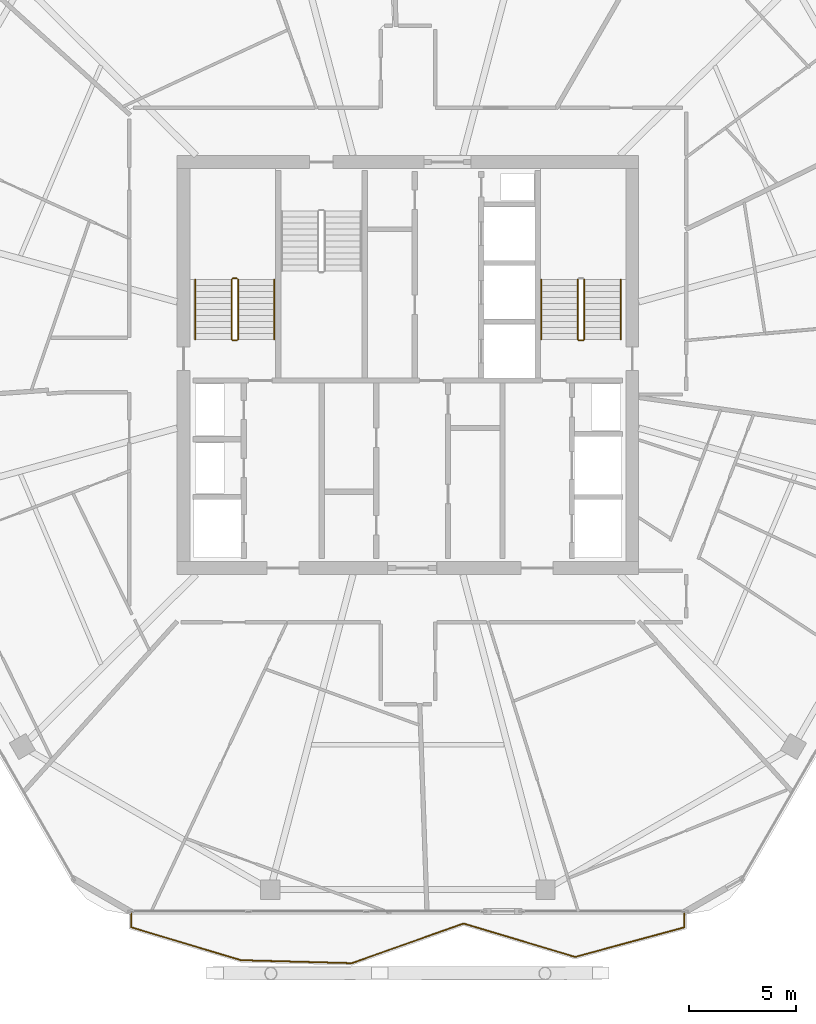
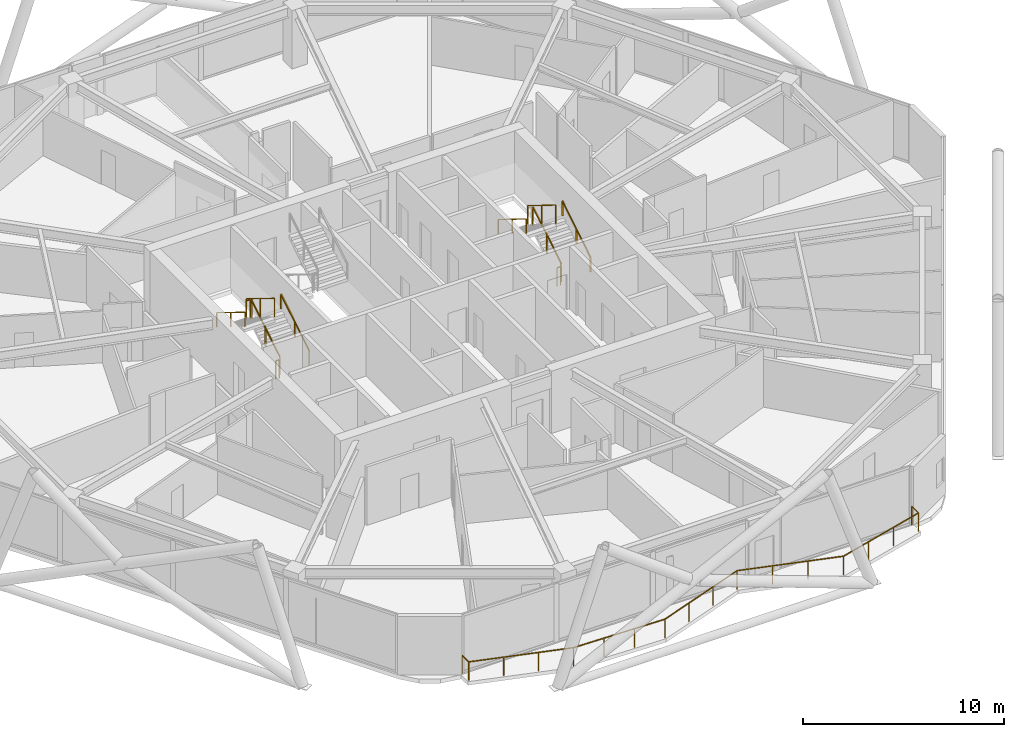
# One storey, part 25 of 26: 12 railings.
"""IFC4 building model written with IfcOpenShell, lengths in metres."""

from ifc_helpers import new_model, si_unit, direction, frame, origin, origin_2d, place, context, subcontext, project, spatial, rectangle, extrude, material, type_object, element, save


model = new_model("IFC4")

# Units and contexts
model_context = context("Model", 3, precision=1e-05, world=origin(), true_north=direction((0.0, 1.0)))
body_context = subcontext(model_context, "Body", "Model", "MODEL_VIEW")
ifc_project = project(units=[si_unit("LENGTHUNIT", "METRE"), si_unit("AREAUNIT", "SQUARE_METRE"), si_unit("VOLUMEUNIT", "CUBIC_METRE"), si_unit("PLANEANGLEUNIT", "RADIAN"), si_unit("MASSUNIT", "GRAM", prefix="KILO")], contexts=[model_context])

# Site, building, storey
site_placement = place(None, origin())
site = spatial("IfcSite", under=ifc_project, at=site_placement, CompositionType="ELEMENT")
building_placement = place(site_placement, origin())
building = spatial("IfcBuilding", under=site, at=building_placement, Name="Zuhravey Tower", CompositionType="ELEMENT")
storey_placement = place(building_placement, frame((0.0, 0.0, 231.199951171875)))
storey = spatial("IfcBuildingStorey", under=building, at=storey_placement, Name="L58", CompositionType="ELEMENT", Elevation=231.199951171875)

# Railings
ifc_material_1 = material(Name="Stainless steel 316 and laminated glass", Category="steel")
railing_type_1 = type_object("IfcRailingType", Name="Balcony & Terrace Guardrail 1150", PredefinedType="BALUSTRADE", material=ifc_material_1)
railing_1_placement = place(storey_placement, frame((48.941650390625, 6.351318359375, 0.0)))
element("IfcRailing", 1, at=railing_1_placement, inside=storey, type_object=railing_type_1, Name="L58 Face 5 Wave Balcony Guardrail GR1", PredefinedType="BALUSTRADE", context=body_context, shape_type="SweptSolid", body=[
    extrude(rectangle(XDim=0.048095703125, YDim=0.048095703125, at=origin_2d()), frame((0.0, -0.001953125, 1.1259765625), z_axis=(0.0, -1.0, 0.0), x_axis=(1.0, 0.0, 0.0)), (0.0, 0.0, 1.0), 0.659423828125),
    extrude(rectangle(XDim=0.048095703125, YDim=0.048095703125, at=origin_2d()), frame((-0.001953125, -0.663818359375, 1.1259765625), z_axis=(-0.965174046402, -0.261608601065, 0.0), x_axis=(0.261608601065, -0.965174046402, 0.0)), (0.0, 0.0, 1.0), 5.2958984375),
    extrude(rectangle(XDim=0.048095703125, YDim=0.048095703125, at=origin_2d()), frame((-5.1171875, -2.04931640625, 1.1259765625), z_axis=(-0.957939641599, 0.286969759824, 0.0), x_axis=(-0.286969759824, -0.957939641599, 0.0)), (0.0, 0.0, 1.0), 5.446044921875),
    extrude(rectangle(XDim=0.048095703125, YDim=0.048095703125, at=origin_2d()), frame((-10.337890625, -0.486572265625, 1.1259765625), z_axis=(-0.94248811317, -0.3342396693, 0.0), x_axis=(0.3342396693, -0.94248811317, 0.0)), (0.0, 0.0, 1.0), 5.545166015625),
    extrude(rectangle(XDim=0.048095703125, YDim=0.048095703125, at=origin_2d()), frame((-15.56787109375, -2.340576171875, 1.1259765625), z_axis=(-0.999647538064, 0.026548062884, 0.0), x_axis=(-0.026548062884, -0.999647538064, 0.0)), (0.0, 0.0, 1.0), 5.1826171875),
    extrude(rectangle(XDim=0.048095703125, YDim=0.048095703125, at=origin_2d()), frame((-20.752685546875, -2.202392578125, 1.1259765625), z_axis=(-0.957950354825, 0.286933995354, 0.0), x_axis=(-0.286933995354, -0.957950354825, 0.0)), (0.0, 0.0, 1.0), 5.353759765625),
    extrude(rectangle(XDim=0.048095703125, YDim=0.048095703125, at=origin_2d()), frame((-25.88330078125, -0.66357421875, 1.1259765625), z_axis=(0.0, 1.0, 0.0), x_axis=(-1.0, 0.0, 0.0)), (0.0, 0.0, 1.0), 0.66162109375),
    extrude(rectangle(XDim=0.0419921875, YDim=0.0419921875, at=origin_2d()), origin(), (0.0, 0.0, 1.0), 1.099853515625),
    extrude(rectangle(XDim=0.0419921875, YDim=0.0419921875, at=origin_2d()), frame((0.0, -0.663330078125, 0.0)), (0.0, 0.0, 1.0), 1.099853515625),
    extrude(rectangle(XDim=0.0419921875, YDim=0.0419921875, at=origin_2d()), frame((-1.705078125, -1.12548828125, 0.0)), (0.0, 0.0, 1.0), 1.099853515625),
    extrude(rectangle(XDim=0.0419921875, YDim=0.0419921875, at=origin_2d()), frame((-3.41015625, -1.587646484375, 0.0)), (0.0, 0.0, 1.0), 1.099853515625),
    extrude(rectangle(XDim=0.0419921875, YDim=0.0419921875, at=origin_2d()), frame((-5.115234375, -2.0498046875, 0.0)), (0.0, 0.0, 1.0), 1.099853515625),
    extrude(rectangle(XDim=0.0419921875, YDim=0.0419921875, at=origin_2d()), frame((-6.85546875, -1.528564453125, 0.0)), (0.0, 0.0, 1.0), 1.099853515625),
    extrude(rectangle(XDim=0.0419921875, YDim=0.0419921875, at=origin_2d()), frame((-8.595703125, -1.007080078125, 0.0)), (0.0, 0.0, 1.0), 1.099853515625),
    extrude(rectangle(XDim=0.0419921875, YDim=0.0419921875, at=origin_2d()), frame((-10.3359375, -0.48583984375, 0.0)), (0.0, 0.0, 1.0), 1.099853515625),
    extrude(rectangle(XDim=0.0419921875, YDim=0.0419921875, at=origin_2d()), frame((-12.079345703125, -1.10400390625, 0.0)), (0.0, 0.0, 1.0), 1.099853515625),
    extrude(rectangle(XDim=0.0419921875, YDim=0.0419921875, at=origin_2d()), frame((-13.822509765625, -1.722412109375, 0.0)), (0.0, 0.0, 1.0), 1.099853515625),
    extrude(rectangle(XDim=0.0419921875, YDim=0.0419921875, at=origin_2d()), frame((-15.56591796875, -2.340576171875, 0.0)), (0.0, 0.0, 1.0), 1.099853515625),
    extrude(rectangle(XDim=0.0419921875, YDim=0.0419921875, at=origin_2d()), frame((-17.294189453125, -2.294677734375, 0.0)), (0.0, 0.0, 1.0), 1.099853515625),
    extrude(rectangle(XDim=0.0419921875, YDim=0.0419921875, at=origin_2d()), frame((-19.0224609375, -2.248779296875, 0.0)), (0.0, 0.0, 1.0), 1.099853515625),
    extrude(rectangle(XDim=0.0419921875, YDim=0.0419921875, at=origin_2d()), frame((-20.750732421875, -2.202880859375, 0.0)), (0.0, 0.0, 1.0), 1.099853515625),
    extrude(rectangle(XDim=0.0419921875, YDim=0.0419921875, at=origin_2d()), frame((-22.461669921875, -1.6904296875, 0.0)), (0.0, 0.0, 1.0), 1.099853515625),
    extrude(rectangle(XDim=0.0419921875, YDim=0.0419921875, at=origin_2d()), frame((-24.17236328125, -1.177978515625, 0.0)), (0.0, 0.0, 1.0), 1.099853515625),
    extrude(rectangle(XDim=0.0419921875, YDim=0.0419921875, at=origin_2d()), frame((-25.88330078125, -0.66552734375, 0.0)), (0.0, 0.0, 1.0), 1.099853515625),
    extrude(rectangle(XDim=0.0419921875, YDim=0.0419921875, at=origin_2d()), frame((-25.88330078125, 0.0, 0.0)), (0.0, 0.0, 1.0), 1.099853515625),
])
ifc_material_2 = material(Name="Brushed stainless steel", Category="steel")
railing_type_2 = type_object("IfcRailingType", Name="Stair Wall Handrail 900", PredefinedType="HANDRAIL", material=ifc_material_2)
railing_2_placement = place(storey_placement, frame((29.75, 33.199951171875, 0.1728515625)))
element("IfcRailing", 2, at=railing_2_placement, inside=storey, type_object=railing_type_2, Name="L58 ST1 stair handrail 1", PredefinedType="HANDRAIL", context=body_context, shape_type="SweptSolid", body=[
    extrude(rectangle(XDim=0.048095703125, YDim=0.048095703125, at=origin_2d()), frame((0.0, 0.001708984375, 0.876953125), z_axis=(0.0, 0.851089632645, 0.525020415988), x_axis=(-1.0, 0.0, 0.0)), (0.0, 0.0, 1.0), 3.285888671875),
    extrude(rectangle(XDim=0.0419921875, YDim=0.0419921875, at=origin_2d()), origin(), (0.0, 0.0, 1.0), 0.849853515625),
    extrude(rectangle(XDim=0.0419921875, YDim=0.0419921875, at=origin_2d()), frame((0.0, 1.39990234375, 0.86376953125)), (0.0, 0.0, 1.0), 0.849853515625),
    extrude(rectangle(XDim=0.0419921875, YDim=0.0419921875, at=origin_2d()), frame((0.0, 2.800048828125, 1.727294921875)), (0.0, 0.0, 1.0), 0.849853515625),
])
railing_3_placement = place(storey_placement, frame((26.050048828125, 36.0, 2.07275390625)))
element("IfcRailing", 3, at=railing_3_placement, inside=storey, type_object=railing_type_2, Name="L58 ST1 stair handrail 2", PredefinedType="HANDRAIL", context=body_context, shape_type="SweptSolid", body=[
    extrude(rectangle(XDim=0.048095703125, YDim=0.048095703125, at=origin_2d()), frame((0.0, -0.001708984375, 0.876953125), z_axis=(0.0, -0.851089632645, 0.525020415988), x_axis=(1.0, 0.0, 0.0)), (0.0, 0.0, 1.0), 3.285888671875),
    extrude(rectangle(XDim=0.0419921875, YDim=0.0419921875, at=origin_2d()), origin(), (0.0, 0.0, 1.0), 0.849853515625),
    extrude(rectangle(XDim=0.0419921875, YDim=0.0419921875, at=origin_2d()), frame((0.0, -1.39990234375, 0.86376953125)), (0.0, 0.0, 1.0), 0.849853515625),
    extrude(rectangle(XDim=0.0419921875, YDim=0.0419921875, at=origin_2d()), frame((0.0, -2.800048828125, 1.727294921875)), (0.0, 0.0, 1.0), 0.849853515625),
])
railing_4_placement = place(storey_placement, frame((45.949951171875, 33.199951171875, 0.1728515625)))
element("IfcRailing", 4, at=railing_4_placement, inside=storey, type_object=railing_type_2, Name="L58 ST2 stair handrail 1", PredefinedType="HANDRAIL", context=body_context, shape_type="SweptSolid", body=[
    extrude(rectangle(XDim=0.048095703125, YDim=0.048095703125, at=origin_2d()), frame((0.0, 0.001708984375, 0.876953125), z_axis=(0.0, 0.851089632645, 0.525020415988), x_axis=(-1.0, 0.0, 0.0)), (0.0, 0.0, 1.0), 3.285888671875),
    extrude(rectangle(XDim=0.0419921875, YDim=0.0419921875, at=origin_2d()), origin(), (0.0, 0.0, 1.0), 0.849853515625),
    extrude(rectangle(XDim=0.0419921875, YDim=0.0419921875, at=origin_2d()), frame((0.0, 1.39990234375, 0.86376953125)), (0.0, 0.0, 1.0), 0.849853515625),
    extrude(rectangle(XDim=0.0419921875, YDim=0.0419921875, at=origin_2d()), frame((0.0, 2.800048828125, 1.727294921875)), (0.0, 0.0, 1.0), 0.849853515625),
])
railing_5_placement = place(storey_placement, frame((42.25, 36.0, 2.07275390625)))
element("IfcRailing", 5, at=railing_5_placement, inside=storey, type_object=railing_type_2, Name="L58 ST2 stair handrail 2", PredefinedType="HANDRAIL", context=body_context, shape_type="SweptSolid", body=[
    extrude(rectangle(XDim=0.048095703125, YDim=0.048095703125, at=origin_2d()), frame((0.0, -0.001708984375, 0.876953125), z_axis=(0.0, -0.851089632645, 0.525020415988), x_axis=(1.0, 0.0, 0.0)), (0.0, 0.0, 1.0), 3.285888671875),
    extrude(rectangle(XDim=0.0419921875, YDim=0.0419921875, at=origin_2d()), origin(), (0.0, 0.0, 1.0), 0.849853515625),
    extrude(rectangle(XDim=0.0419921875, YDim=0.0419921875, at=origin_2d()), frame((0.0, -1.39990234375, 0.86376953125)), (0.0, 0.0, 1.0), 0.849853515625),
    extrude(rectangle(XDim=0.0419921875, YDim=0.0419921875, at=origin_2d()), frame((0.0, -2.800048828125, 1.727294921875)), (0.0, 0.0, 1.0), 0.849853515625),
])
ifc_material_3 = material(Name="Painted tubular steel", Category="steel")
railing_type_3 = type_object("IfcRailingType", Name="Stair Well Guardrail 1150", PredefinedType="GUARDRAIL", material=ifc_material_3)
railing_6_placement = place(storey_placement, frame((28.050048828125, 33.199951171875, 0.1728515625)))
element("IfcRailing", 6, at=railing_6_placement, inside=storey, type_object=railing_type_3, Name="L58 ST1 stair guard 1", PredefinedType="GUARDRAIL", context=body_context, shape_type="SweptSolid", body=[
    extrude(rectangle(XDim=0.048095703125, YDim=0.048095703125, at=origin_2d()), frame((0.0, 0.001708984375, 1.126953125), z_axis=(0.0, 0.851089632645, 0.525020415988), x_axis=(-1.0, 0.0, 0.0)), (0.0, 0.0, 1.0), 3.285888671875),
    extrude(rectangle(XDim=0.0419921875, YDim=0.0419921875, at=origin_2d()), origin(), (0.0, 0.0, 1.0), 1.099853515625),
    extrude(rectangle(XDim=0.0419921875, YDim=0.0419921875, at=origin_2d()), frame((0.0, 1.39990234375, 0.86376953125)), (0.0, 0.0, 1.0), 1.099853515625),
    extrude(rectangle(XDim=0.0419921875, YDim=0.0419921875, at=origin_2d()), frame((0.0, 2.800048828125, 1.727294921875)), (0.0, 0.0, 1.0), 1.099853515625),
])
railing_7_placement = place(storey_placement, frame((28.0, 36.050048828125, 1.900146484375)))
element("IfcRailing", 7, at=railing_7_placement, inside=storey, type_object=railing_type_3, Name="L58 ST1 stair guard 2", PredefinedType="GUARDRAIL", context=body_context, shape_type="SweptSolid", body=[
    extrude(rectangle(XDim=0.048095703125, YDim=0.048095703125, at=origin_2d()), frame((-0.001953125, 0.0, 1.1259765625), z_axis=(-1.0, 0.0, 0.0), x_axis=(0.0, -1.0, 0.0)), (0.0, 0.0, 1.0), 0.196044921875),
    extrude(rectangle(XDim=0.0419921875, YDim=0.0419921875, at=origin_2d()), origin(), (0.0, 0.0, 1.0), 1.099853515625),
    extrude(rectangle(XDim=0.0419921875, YDim=0.0419921875, at=origin_2d()), frame((-0.199951171875, 0.0, 0.0)), (0.0, 0.0, 1.0), 1.099853515625),
])
railing_8_placement = place(storey_placement, frame((27.75, 36.0, 2.07275390625)))
element("IfcRailing", 8, at=railing_8_placement, inside=storey, type_object=railing_type_3, Name="L58 ST1 stair guard 3", PredefinedType="GUARDRAIL", context=body_context, shape_type="SweptSolid", body=[
    extrude(rectangle(XDim=0.048095703125, YDim=0.048095703125, at=origin_2d()), frame((0.0, -0.001708984375, 1.126953125), z_axis=(0.0, -0.851089632645, 0.525020415988), x_axis=(1.0, 0.0, 0.0)), (0.0, 0.0, 1.0), 3.285888671875),
    extrude(rectangle(XDim=0.0419921875, YDim=0.0419921875, at=origin_2d()), origin(), (0.0, 0.0, 1.0), 1.099853515625),
    extrude(rectangle(XDim=0.0419921875, YDim=0.0419921875, at=origin_2d()), frame((0.0, -1.39990234375, 0.86376953125)), (0.0, 0.0, 1.0), 1.099853515625),
    extrude(rectangle(XDim=0.0419921875, YDim=0.0419921875, at=origin_2d()), frame((0.0, -2.800048828125, 1.727294921875)), (0.0, 0.0, 1.0), 1.099853515625),
])
railing_9_placement = place(storey_placement, frame((28.0, 33.14990234375, 0.0)))
element("IfcRailing", 9, at=railing_9_placement, inside=storey, type_object=railing_type_3, Name="L58 ST1 stair guard 4", PredefinedType="GUARDRAIL", context=body_context, shape_type="SweptSolid", body=[
    extrude(rectangle(XDim=0.048095703125, YDim=0.048095703125, at=origin_2d()), frame((-0.001953125, 0.0, 1.1259765625), z_axis=(-1.0, 0.0, 0.0), x_axis=(0.0, -1.0, 0.0)), (0.0, 0.0, 1.0), 0.196044921875),
    extrude(rectangle(XDim=0.0419921875, YDim=0.0419921875, at=origin_2d()), origin(), (0.0, 0.0, 1.0), 1.099853515625),
    extrude(rectangle(XDim=0.0419921875, YDim=0.0419921875, at=origin_2d()), frame((-0.199951171875, 0.0, 0.0)), (0.0, 0.0, 1.0), 1.099853515625),
])
railing_10_placement = place(storey_placement, frame((44.25, 33.199951171875, 0.1728515625)))
element("IfcRailing", 10, at=railing_10_placement, inside=storey, type_object=railing_type_3, Name="L58 ST2 stair guard 1", PredefinedType="GUARDRAIL", context=body_context, shape_type="SweptSolid", body=[
    extrude(rectangle(XDim=0.048095703125, YDim=0.048095703125, at=origin_2d()), frame((0.0, 0.001708984375, 1.126953125), z_axis=(0.0, 0.851089632645, 0.525020415988), x_axis=(-1.0, 0.0, 0.0)), (0.0, 0.0, 1.0), 3.285888671875),
    extrude(rectangle(XDim=0.0419921875, YDim=0.0419921875, at=origin_2d()), origin(), (0.0, 0.0, 1.0), 1.099853515625),
    extrude(rectangle(XDim=0.0419921875, YDim=0.0419921875, at=origin_2d()), frame((0.0, 1.39990234375, 0.86376953125)), (0.0, 0.0, 1.0), 1.099853515625),
    extrude(rectangle(XDim=0.0419921875, YDim=0.0419921875, at=origin_2d()), frame((0.0, 2.800048828125, 1.727294921875)), (0.0, 0.0, 1.0), 1.099853515625),
])
railing_11_placement = place(storey_placement, frame((43.949951171875, 36.0, 2.07275390625)))
element("IfcRailing", 11, at=railing_11_placement, inside=storey, type_object=railing_type_3, Name="L58 ST2 stair guard 3", PredefinedType="GUARDRAIL", context=body_context, shape_type="SweptSolid", body=[
    extrude(rectangle(XDim=0.048095703125, YDim=0.048095703125, at=origin_2d()), frame((0.0, -0.001708984375, 1.126953125), z_axis=(0.0, -0.851089632645, 0.525020415988), x_axis=(1.0, 0.0, 0.0)), (0.0, 0.0, 1.0), 3.285888671875),
    extrude(rectangle(XDim=0.0419921875, YDim=0.0419921875, at=origin_2d()), origin(), (0.0, 0.0, 1.0), 1.099853515625),
    extrude(rectangle(XDim=0.0419921875, YDim=0.0419921875, at=origin_2d()), frame((0.0, -1.39990234375, 0.86376953125)), (0.0, 0.0, 1.0), 1.099853515625),
    extrude(rectangle(XDim=0.0419921875, YDim=0.0419921875, at=origin_2d()), frame((0.0, -2.800048828125, 1.727294921875)), (0.0, 0.0, 1.0), 1.099853515625),
])
railing_12_placement = place(storey_placement, frame((44.199951171875, 33.14990234375, 0.0)))
element("IfcRailing", 12, at=railing_12_placement, inside=storey, type_object=railing_type_3, Name="L58 ST2 stair guard 4", PredefinedType="GUARDRAIL", context=body_context, shape_type="SweptSolid", body=[
    extrude(rectangle(XDim=0.048095703125, YDim=0.048095703125, at=origin_2d()), frame((-0.001953125, 0.0, 1.1259765625), z_axis=(-1.0, 0.0, 0.0), x_axis=(0.0, -1.0, 0.0)), (0.0, 0.0, 1.0), 0.196044921875),
    extrude(rectangle(XDim=0.0419921875, YDim=0.0419921875, at=origin_2d()), origin(), (0.0, 0.0, 1.0), 1.099853515625),
    extrude(rectangle(XDim=0.0419921875, YDim=0.0419921875, at=origin_2d()), frame((-0.199951171875, 0.0, 0.0)), (0.0, 0.0, 1.0), 1.099853515625),
])

save(model, "model.ifc")
